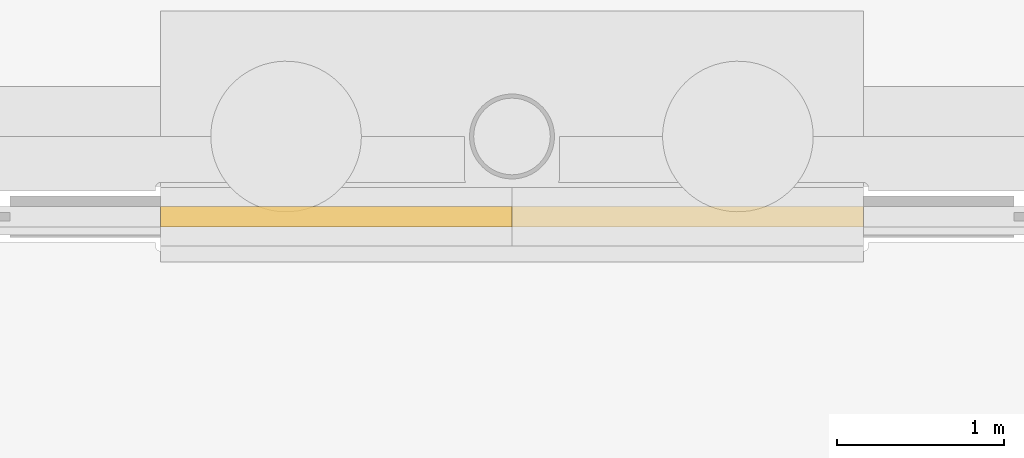
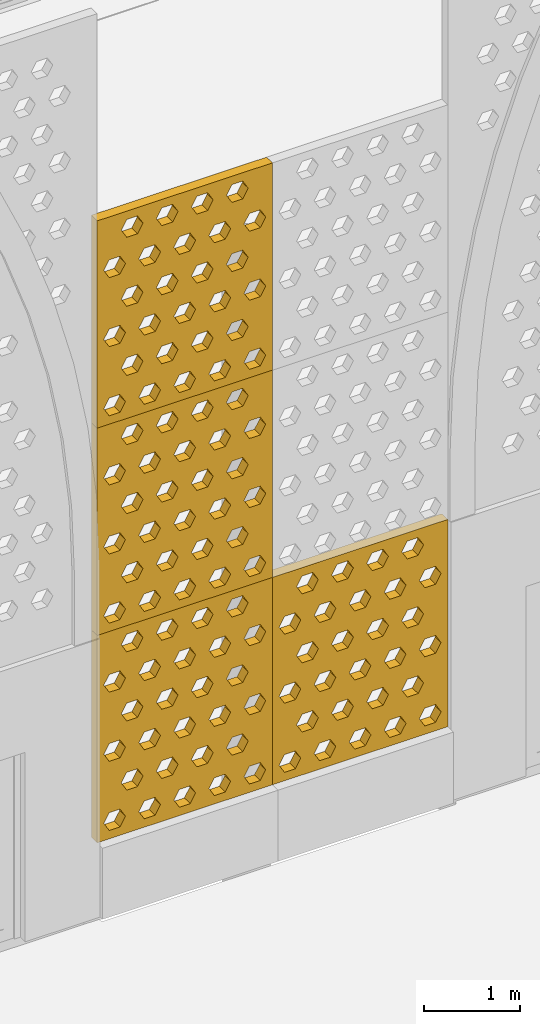
# One storey, part 208 of 250: 4 shading devices.
"""IFC4 building model written with IfcOpenShell, lengths in metres."""

from ifc_helpers import new_model, si_unit, direction, frame, origin, place, context, subcontext, project, spatial, polyline, outline, extrude, material, layer, layer_set, type_object, element, save


model = new_model("IFC4")

# Units and contexts
model_context = context("Model", 3, precision=1e-05, world=origin(), true_north=direction((0.0, 1.0)))
body_context = subcontext(model_context, "Body", "Model", "MODEL_VIEW")
ifc_project = project(units=[si_unit("LENGTHUNIT", "METRE"), si_unit("AREAUNIT", "SQUARE_METRE"), si_unit("VOLUMEUNIT", "CUBIC_METRE"), si_unit("PLANEANGLEUNIT", "RADIAN"), si_unit("MASSUNIT", "GRAM", prefix="KILO")], contexts=[model_context])

# Site, building, storey
site_placement = place(None, origin())
site = spatial("IfcSite", under=ifc_project, at=site_placement, CompositionType="ELEMENT")
building_placement = place(site_placement, origin())
building = spatial("IfcBuilding", under=site, at=building_placement, Name="Baradari Gate Terminus", CompositionType="ELEMENT")
storey_placement = place(building_placement, origin())
storey = spatial("IfcBuildingStorey", under=building, at=storey_placement, Name="L00", CompositionType="ELEMENT", Elevation=0.0)

# Shading devices
ifc_material = material(Name="Concrete C50/60 precast", Category="concrete")
ifc_layer = layer(ifc_material, 0.1201171875)
ifc_layer_set = layer_set([ifc_layer], Name="Concrete C50/60 precast")
shading_device_type = type_object("IfcShadingDeviceType", Name="Jali screen panel JS-2 120", PredefinedType="SHUTTER", material=ifc_layer_set)
shading_device_1_placement = place(storey_placement, frame((222.89990234375, 35.52001953125, 0.89990234375), z_axis=(0.0, 0.0, 1.0), x_axis=(1.0, 0.0, 0.0)))
element("IfcShadingDevice", 1, at=shading_device_1_placement, inside=storey, type_object=shading_device_type, Name="Jali screen panel JS-2 SC07c row 1 panel 1", PredefinedType="SHUTTER", context=body_context, shape_type="SweptSolid", body=[
    extrude(outline(polyline([(0.0, 0.0), (2.10009765625, 0.0), (2.10009765625, 2.625), (0.0, 2.625), (0.0, 0.0)]), holes=[polyline([(0.340087890625, 0.21875), (0.27490234375, 0.106201171875), (0.14501953125, 0.106201171875), (0.080078125, 0.21875), (0.14501953125, 0.33154296875), (0.27490234375, 0.33154296875), (0.340087890625, 0.21875)]), polyline([(0.760009765625, 0.21875), (0.695068359375, 0.106201171875), (0.56494140625, 0.106201171875), (0.5, 0.21875), (0.56494140625, 0.33154296875), (0.695068359375, 0.33154296875), (0.760009765625, 0.21875)]), polyline([(1.179931640625, 0.21875), (1.114990234375, 0.106201171875), (0.985107421875, 0.106201171875), (0.919921875, 0.21875), (0.985107421875, 0.33154296875), (1.114990234375, 0.33154296875), (1.179931640625, 0.21875)]), polyline([(1.60009765625, 0.21875), (1.534912109375, 0.106201171875), (1.405029296875, 0.106201171875), (1.340087890625, 0.21875), (1.405029296875, 0.33154296875), (1.534912109375, 0.33154296875), (1.60009765625, 0.21875)]), polyline([(2.02001953125, 0.21875), (1.955078125, 0.106201171875), (1.824951171875, 0.106201171875), (1.760009765625, 0.21875), (1.824951171875, 0.33154296875), (1.955078125, 0.33154296875), (2.02001953125, 0.21875)]), polyline([(0.550048828125, 0.65625), (0.485107421875, 0.543701171875), (0.35498046875, 0.543701171875), (0.2900390625, 0.65625), (0.35498046875, 0.76904296875), (0.485107421875, 0.76904296875), (0.550048828125, 0.65625)]), polyline([(0.969970703125, 0.65625), (0.905029296875, 0.543701171875), (0.77490234375, 0.543701171875), (0.7099609375, 0.65625), (0.77490234375, 0.76904296875), (0.905029296875, 0.76904296875), (0.969970703125, 0.65625)]), polyline([(1.389892578125, 0.65625), (1.324951171875, 0.543701171875), (1.195068359375, 0.543701171875), (1.1298828125, 0.65625), (1.195068359375, 0.76904296875), (1.324951171875, 0.76904296875), (1.389892578125, 0.65625)]), polyline([(1.81005859375, 0.65625), (1.7451171875, 0.543701171875), (1.614990234375, 0.543701171875), (1.550048828125, 0.65625), (1.614990234375, 0.76904296875), (1.7451171875, 0.76904296875), (1.81005859375, 0.65625)]), polyline([(0.340087890625, 1.09375), (0.27490234375, 0.981201171875), (0.14501953125, 0.981201171875), (0.080078125, 1.09375), (0.14501953125, 1.20654296875), (0.27490234375, 1.20654296875), (0.340087890625, 1.09375)]), polyline([(0.760009765625, 1.09375), (0.695068359375, 0.981201171875), (0.56494140625, 0.981201171875), (0.5, 1.09375), (0.56494140625, 1.20654296875), (0.695068359375, 1.20654296875), (0.760009765625, 1.09375)]), polyline([(1.179931640625, 1.09375), (1.114990234375, 0.981201171875), (0.985107421875, 0.981201171875), (0.919921875, 1.09375), (0.985107421875, 1.20654296875), (1.114990234375, 1.20654296875), (1.179931640625, 1.09375)]), polyline([(1.60009765625, 1.09375), (1.534912109375, 0.981201171875), (1.405029296875, 0.981201171875), (1.340087890625, 1.09375), (1.405029296875, 1.20654296875), (1.534912109375, 1.20654296875), (1.60009765625, 1.09375)]), polyline([(2.02001953125, 1.09375), (1.955078125, 0.981201171875), (1.824951171875, 0.981201171875), (1.760009765625, 1.09375), (1.824951171875, 1.20654296875), (1.955078125, 1.20654296875), (2.02001953125, 1.09375)]), polyline([(0.550048828125, 1.53125), (0.485107421875, 1.418701171875), (0.35498046875, 1.418701171875), (0.2900390625, 1.53125), (0.35498046875, 1.64404296875), (0.485107421875, 1.64404296875), (0.550048828125, 1.53125)]), polyline([(0.969970703125, 1.53125), (0.905029296875, 1.418701171875), (0.77490234375, 1.418701171875), (0.7099609375, 1.53125), (0.77490234375, 1.64404296875), (0.905029296875, 1.64404296875), (0.969970703125, 1.53125)]), polyline([(1.389892578125, 1.53125), (1.324951171875, 1.418701171875), (1.195068359375, 1.418701171875), (1.1298828125, 1.53125), (1.195068359375, 1.64404296875), (1.324951171875, 1.64404296875), (1.389892578125, 1.53125)]), polyline([(1.81005859375, 1.53125), (1.7451171875, 1.418701171875), (1.614990234375, 1.418701171875), (1.550048828125, 1.53125), (1.614990234375, 1.64404296875), (1.7451171875, 1.64404296875), (1.81005859375, 1.53125)]), polyline([(0.340087890625, 1.96875), (0.27490234375, 1.856201171875), (0.14501953125, 1.856201171875), (0.080078125, 1.96875), (0.14501953125, 2.08154296875), (0.27490234375, 2.08154296875), (0.340087890625, 1.96875)]), polyline([(0.760009765625, 1.96875), (0.695068359375, 1.856201171875), (0.56494140625, 1.856201171875), (0.5, 1.96875), (0.56494140625, 2.08154296875), (0.695068359375, 2.08154296875), (0.760009765625, 1.96875)]), polyline([(1.179931640625, 1.96875), (1.114990234375, 1.856201171875), (0.985107421875, 1.856201171875), (0.919921875, 1.96875), (0.985107421875, 2.08154296875), (1.114990234375, 2.08154296875), (1.179931640625, 1.96875)]), polyline([(1.60009765625, 1.96875), (1.534912109375, 1.856201171875), (1.405029296875, 1.856201171875), (1.340087890625, 1.96875), (1.405029296875, 2.08154296875), (1.534912109375, 2.08154296875), (1.60009765625, 1.96875)]), polyline([(2.02001953125, 1.96875), (1.955078125, 1.856201171875), (1.824951171875, 1.856201171875), (1.760009765625, 1.96875), (1.824951171875, 2.08154296875), (1.955078125, 2.08154296875), (2.02001953125, 1.96875)]), polyline([(0.550048828125, 2.40625), (0.485107421875, 2.293701171875), (0.35498046875, 2.293701171875), (0.2900390625, 2.40625), (0.35498046875, 2.51904296875), (0.485107421875, 2.51904296875), (0.550048828125, 2.40625)]), polyline([(0.969970703125, 2.40625), (0.905029296875, 2.293701171875), (0.77490234375, 2.293701171875), (0.7099609375, 2.40625), (0.77490234375, 2.51904296875), (0.905029296875, 2.51904296875), (0.969970703125, 2.40625)]), polyline([(1.389892578125, 2.40625), (1.324951171875, 2.293701171875), (1.195068359375, 2.293701171875), (1.1298828125, 2.40625), (1.195068359375, 2.51904296875), (1.324951171875, 2.51904296875), (1.389892578125, 2.40625)]), polyline([(1.81005859375, 2.40625), (1.7451171875, 2.293701171875), (1.614990234375, 2.293701171875), (1.550048828125, 2.40625), (1.614990234375, 2.51904296875), (1.7451171875, 2.51904296875), (1.81005859375, 2.40625)])]), frame((0.0, 0.06005859375, 0.0), z_axis=(0.0, -1.0, 0.0), x_axis=(1.0, 0.0, 0.0)), (0.0, 0.0, 1.0), 0.1201171875),
])
shading_device_2_placement = place(storey_placement, frame((222.89990234375, 35.52001953125, 3.52490234375), z_axis=(0.0, 0.0, 1.0), x_axis=(1.0, 0.0, 0.0)))
element("IfcShadingDevice", 2, at=shading_device_2_placement, inside=storey, type_object=shading_device_type, Name="Jali screen panel JS-2 SC07c row 2 panel 1", PredefinedType="SHUTTER", context=body_context, shape_type="SweptSolid", body=[
    extrude(outline(polyline([(0.0, 0.0), (2.10009765625, 0.0), (2.10009765625, 2.625), (0.0, 2.625), (0.0, 0.0)]), holes=[polyline([(0.340087890625, 0.21875), (0.27490234375, 0.106201171875), (0.14501953125, 0.106201171875), (0.080078125, 0.21875), (0.14501953125, 0.33154296875), (0.27490234375, 0.33154296875), (0.340087890625, 0.21875)]), polyline([(0.760009765625, 0.21875), (0.695068359375, 0.106201171875), (0.56494140625, 0.106201171875), (0.5, 0.21875), (0.56494140625, 0.33154296875), (0.695068359375, 0.33154296875), (0.760009765625, 0.21875)]), polyline([(1.179931640625, 0.21875), (1.114990234375, 0.106201171875), (0.985107421875, 0.106201171875), (0.919921875, 0.21875), (0.985107421875, 0.33154296875), (1.114990234375, 0.33154296875), (1.179931640625, 0.21875)]), polyline([(1.60009765625, 0.21875), (1.534912109375, 0.106201171875), (1.405029296875, 0.106201171875), (1.340087890625, 0.21875), (1.405029296875, 0.33154296875), (1.534912109375, 0.33154296875), (1.60009765625, 0.21875)]), polyline([(2.02001953125, 0.21875), (1.955078125, 0.106201171875), (1.824951171875, 0.106201171875), (1.760009765625, 0.21875), (1.824951171875, 0.33154296875), (1.955078125, 0.33154296875), (2.02001953125, 0.21875)]), polyline([(0.550048828125, 0.65625), (0.485107421875, 0.543701171875), (0.35498046875, 0.543701171875), (0.2900390625, 0.65625), (0.35498046875, 0.76904296875), (0.485107421875, 0.76904296875), (0.550048828125, 0.65625)]), polyline([(0.969970703125, 0.65625), (0.905029296875, 0.543701171875), (0.77490234375, 0.543701171875), (0.7099609375, 0.65625), (0.77490234375, 0.76904296875), (0.905029296875, 0.76904296875), (0.969970703125, 0.65625)]), polyline([(1.389892578125, 0.65625), (1.324951171875, 0.543701171875), (1.195068359375, 0.543701171875), (1.1298828125, 0.65625), (1.195068359375, 0.76904296875), (1.324951171875, 0.76904296875), (1.389892578125, 0.65625)]), polyline([(1.81005859375, 0.65625), (1.7451171875, 0.543701171875), (1.614990234375, 0.543701171875), (1.550048828125, 0.65625), (1.614990234375, 0.76904296875), (1.7451171875, 0.76904296875), (1.81005859375, 0.65625)]), polyline([(0.340087890625, 1.09375), (0.27490234375, 0.981201171875), (0.14501953125, 0.981201171875), (0.080078125, 1.09375), (0.14501953125, 1.20654296875), (0.27490234375, 1.20654296875), (0.340087890625, 1.09375)]), polyline([(0.760009765625, 1.09375), (0.695068359375, 0.981201171875), (0.56494140625, 0.981201171875), (0.5, 1.09375), (0.56494140625, 1.20654296875), (0.695068359375, 1.20654296875), (0.760009765625, 1.09375)]), polyline([(1.179931640625, 1.09375), (1.114990234375, 0.981201171875), (0.985107421875, 0.981201171875), (0.919921875, 1.09375), (0.985107421875, 1.20654296875), (1.114990234375, 1.20654296875), (1.179931640625, 1.09375)]), polyline([(1.60009765625, 1.09375), (1.534912109375, 0.981201171875), (1.405029296875, 0.981201171875), (1.340087890625, 1.09375), (1.405029296875, 1.20654296875), (1.534912109375, 1.20654296875), (1.60009765625, 1.09375)]), polyline([(2.02001953125, 1.09375), (1.955078125, 0.981201171875), (1.824951171875, 0.981201171875), (1.760009765625, 1.09375), (1.824951171875, 1.20654296875), (1.955078125, 1.20654296875), (2.02001953125, 1.09375)]), polyline([(0.550048828125, 1.53125), (0.485107421875, 1.418701171875), (0.35498046875, 1.418701171875), (0.2900390625, 1.53125), (0.35498046875, 1.64404296875), (0.485107421875, 1.64404296875), (0.550048828125, 1.53125)]), polyline([(0.969970703125, 1.53125), (0.905029296875, 1.418701171875), (0.77490234375, 1.418701171875), (0.7099609375, 1.53125), (0.77490234375, 1.64404296875), (0.905029296875, 1.64404296875), (0.969970703125, 1.53125)]), polyline([(1.389892578125, 1.53125), (1.324951171875, 1.418701171875), (1.195068359375, 1.418701171875), (1.1298828125, 1.53125), (1.195068359375, 1.64404296875), (1.324951171875, 1.64404296875), (1.389892578125, 1.53125)]), polyline([(1.81005859375, 1.53125), (1.7451171875, 1.418701171875), (1.614990234375, 1.418701171875), (1.550048828125, 1.53125), (1.614990234375, 1.64404296875), (1.7451171875, 1.64404296875), (1.81005859375, 1.53125)]), polyline([(0.340087890625, 1.96875), (0.27490234375, 1.856201171875), (0.14501953125, 1.856201171875), (0.080078125, 1.96875), (0.14501953125, 2.08154296875), (0.27490234375, 2.08154296875), (0.340087890625, 1.96875)]), polyline([(0.760009765625, 1.96875), (0.695068359375, 1.856201171875), (0.56494140625, 1.856201171875), (0.5, 1.96875), (0.56494140625, 2.08154296875), (0.695068359375, 2.08154296875), (0.760009765625, 1.96875)]), polyline([(1.179931640625, 1.96875), (1.114990234375, 1.856201171875), (0.985107421875, 1.856201171875), (0.919921875, 1.96875), (0.985107421875, 2.08154296875), (1.114990234375, 2.08154296875), (1.179931640625, 1.96875)]), polyline([(1.60009765625, 1.96875), (1.534912109375, 1.856201171875), (1.405029296875, 1.856201171875), (1.340087890625, 1.96875), (1.405029296875, 2.08154296875), (1.534912109375, 2.08154296875), (1.60009765625, 1.96875)]), polyline([(2.02001953125, 1.96875), (1.955078125, 1.856201171875), (1.824951171875, 1.856201171875), (1.760009765625, 1.96875), (1.824951171875, 2.08154296875), (1.955078125, 2.08154296875), (2.02001953125, 1.96875)]), polyline([(0.550048828125, 2.40625), (0.485107421875, 2.293701171875), (0.35498046875, 2.293701171875), (0.2900390625, 2.40625), (0.35498046875, 2.51904296875), (0.485107421875, 2.51904296875), (0.550048828125, 2.40625)]), polyline([(0.969970703125, 2.40625), (0.905029296875, 2.293701171875), (0.77490234375, 2.293701171875), (0.7099609375, 2.40625), (0.77490234375, 2.51904296875), (0.905029296875, 2.51904296875), (0.969970703125, 2.40625)]), polyline([(1.389892578125, 2.40625), (1.324951171875, 2.293701171875), (1.195068359375, 2.293701171875), (1.1298828125, 2.40625), (1.195068359375, 2.51904296875), (1.324951171875, 2.51904296875), (1.389892578125, 2.40625)]), polyline([(1.81005859375, 2.40625), (1.7451171875, 2.293701171875), (1.614990234375, 2.293701171875), (1.550048828125, 2.40625), (1.614990234375, 2.51904296875), (1.7451171875, 2.51904296875), (1.81005859375, 2.40625)])]), frame((0.0, 0.06005859375, 0.0), z_axis=(0.0, -1.0, 0.0), x_axis=(1.0, 0.0, 0.0)), (0.0, 0.0, 1.0), 0.1201171875),
])
shading_device_3_placement = place(storey_placement, frame((222.89990234375, 35.52001953125, 6.14990234375), z_axis=(0.0, 0.0, 1.0), x_axis=(1.0, 0.0, 0.0)))
element("IfcShadingDevice", 3, at=shading_device_3_placement, inside=storey, type_object=shading_device_type, Name="Jali screen panel JS-2 SC07c row 3 panel 1", PredefinedType="SHUTTER", context=body_context, shape_type="SweptSolid", body=[
    extrude(outline(polyline([(0.0, 0.0), (2.10009765625, 0.0), (2.10009765625, 2.625), (0.0, 2.625), (0.0, 0.0)]), holes=[polyline([(0.340087890625, 0.21875), (0.27490234375, 0.106201171875), (0.14501953125, 0.106201171875), (0.080078125, 0.21875), (0.14501953125, 0.33154296875), (0.27490234375, 0.33154296875), (0.340087890625, 0.21875)]), polyline([(0.760009765625, 0.21875), (0.695068359375, 0.106201171875), (0.56494140625, 0.106201171875), (0.5, 0.21875), (0.56494140625, 0.33154296875), (0.695068359375, 0.33154296875), (0.760009765625, 0.21875)]), polyline([(1.179931640625, 0.21875), (1.114990234375, 0.106201171875), (0.985107421875, 0.106201171875), (0.919921875, 0.21875), (0.985107421875, 0.33154296875), (1.114990234375, 0.33154296875), (1.179931640625, 0.21875)]), polyline([(1.60009765625, 0.21875), (1.534912109375, 0.106201171875), (1.405029296875, 0.106201171875), (1.340087890625, 0.21875), (1.405029296875, 0.33154296875), (1.534912109375, 0.33154296875), (1.60009765625, 0.21875)]), polyline([(2.02001953125, 0.21875), (1.955078125, 0.106201171875), (1.824951171875, 0.106201171875), (1.760009765625, 0.21875), (1.824951171875, 0.33154296875), (1.955078125, 0.33154296875), (2.02001953125, 0.21875)]), polyline([(0.550048828125, 0.65625), (0.485107421875, 0.543701171875), (0.35498046875, 0.543701171875), (0.2900390625, 0.65625), (0.35498046875, 0.76904296875), (0.485107421875, 0.76904296875), (0.550048828125, 0.65625)]), polyline([(0.969970703125, 0.65625), (0.905029296875, 0.543701171875), (0.77490234375, 0.543701171875), (0.7099609375, 0.65625), (0.77490234375, 0.76904296875), (0.905029296875, 0.76904296875), (0.969970703125, 0.65625)]), polyline([(1.389892578125, 0.65625), (1.324951171875, 0.543701171875), (1.195068359375, 0.543701171875), (1.1298828125, 0.65625), (1.195068359375, 0.76904296875), (1.324951171875, 0.76904296875), (1.389892578125, 0.65625)]), polyline([(1.81005859375, 0.65625), (1.7451171875, 0.543701171875), (1.614990234375, 0.543701171875), (1.550048828125, 0.65625), (1.614990234375, 0.76904296875), (1.7451171875, 0.76904296875), (1.81005859375, 0.65625)]), polyline([(0.340087890625, 1.09375), (0.27490234375, 0.981201171875), (0.14501953125, 0.981201171875), (0.080078125, 1.09375), (0.14501953125, 1.20654296875), (0.27490234375, 1.20654296875), (0.340087890625, 1.09375)]), polyline([(0.760009765625, 1.09375), (0.695068359375, 0.981201171875), (0.56494140625, 0.981201171875), (0.5, 1.09375), (0.56494140625, 1.20654296875), (0.695068359375, 1.20654296875), (0.760009765625, 1.09375)]), polyline([(1.179931640625, 1.09375), (1.114990234375, 0.981201171875), (0.985107421875, 0.981201171875), (0.919921875, 1.09375), (0.985107421875, 1.20654296875), (1.114990234375, 1.20654296875), (1.179931640625, 1.09375)]), polyline([(1.60009765625, 1.09375), (1.534912109375, 0.981201171875), (1.405029296875, 0.981201171875), (1.340087890625, 1.09375), (1.405029296875, 1.20654296875), (1.534912109375, 1.20654296875), (1.60009765625, 1.09375)]), polyline([(2.02001953125, 1.09375), (1.955078125, 0.981201171875), (1.824951171875, 0.981201171875), (1.760009765625, 1.09375), (1.824951171875, 1.20654296875), (1.955078125, 1.20654296875), (2.02001953125, 1.09375)]), polyline([(0.550048828125, 1.53125), (0.485107421875, 1.418701171875), (0.35498046875, 1.418701171875), (0.2900390625, 1.53125), (0.35498046875, 1.64404296875), (0.485107421875, 1.64404296875), (0.550048828125, 1.53125)]), polyline([(0.969970703125, 1.53125), (0.905029296875, 1.418701171875), (0.77490234375, 1.418701171875), (0.7099609375, 1.53125), (0.77490234375, 1.64404296875), (0.905029296875, 1.64404296875), (0.969970703125, 1.53125)]), polyline([(1.389892578125, 1.53125), (1.324951171875, 1.418701171875), (1.195068359375, 1.418701171875), (1.1298828125, 1.53125), (1.195068359375, 1.64404296875), (1.324951171875, 1.64404296875), (1.389892578125, 1.53125)]), polyline([(1.81005859375, 1.53125), (1.7451171875, 1.418701171875), (1.614990234375, 1.418701171875), (1.550048828125, 1.53125), (1.614990234375, 1.64404296875), (1.7451171875, 1.64404296875), (1.81005859375, 1.53125)]), polyline([(0.340087890625, 1.96875), (0.27490234375, 1.856201171875), (0.14501953125, 1.856201171875), (0.080078125, 1.96875), (0.14501953125, 2.08154296875), (0.27490234375, 2.08154296875), (0.340087890625, 1.96875)]), polyline([(0.760009765625, 1.96875), (0.695068359375, 1.856201171875), (0.56494140625, 1.856201171875), (0.5, 1.96875), (0.56494140625, 2.08154296875), (0.695068359375, 2.08154296875), (0.760009765625, 1.96875)]), polyline([(1.179931640625, 1.96875), (1.114990234375, 1.856201171875), (0.985107421875, 1.856201171875), (0.919921875, 1.96875), (0.985107421875, 2.08154296875), (1.114990234375, 2.08154296875), (1.179931640625, 1.96875)]), polyline([(1.60009765625, 1.96875), (1.534912109375, 1.856201171875), (1.405029296875, 1.856201171875), (1.340087890625, 1.96875), (1.405029296875, 2.08154296875), (1.534912109375, 2.08154296875), (1.60009765625, 1.96875)]), polyline([(2.02001953125, 1.96875), (1.955078125, 1.856201171875), (1.824951171875, 1.856201171875), (1.760009765625, 1.96875), (1.824951171875, 2.08154296875), (1.955078125, 2.08154296875), (2.02001953125, 1.96875)]), polyline([(0.550048828125, 2.40625), (0.485107421875, 2.293701171875), (0.35498046875, 2.293701171875), (0.2900390625, 2.40625), (0.35498046875, 2.51904296875), (0.485107421875, 2.51904296875), (0.550048828125, 2.40625)]), polyline([(0.969970703125, 2.40625), (0.905029296875, 2.293701171875), (0.77490234375, 2.293701171875), (0.7099609375, 2.40625), (0.77490234375, 2.51904296875), (0.905029296875, 2.51904296875), (0.969970703125, 2.40625)]), polyline([(1.389892578125, 2.40625), (1.324951171875, 2.293701171875), (1.195068359375, 2.293701171875), (1.1298828125, 2.40625), (1.195068359375, 2.51904296875), (1.324951171875, 2.51904296875), (1.389892578125, 2.40625)]), polyline([(1.81005859375, 2.40625), (1.7451171875, 2.293701171875), (1.614990234375, 2.293701171875), (1.550048828125, 2.40625), (1.614990234375, 2.51904296875), (1.7451171875, 2.51904296875), (1.81005859375, 2.40625)])]), frame((0.0, 0.06005859375, 0.0), z_axis=(0.0, -1.0, 0.0), x_axis=(1.0, 0.0, 0.0)), (0.0, 0.0, 1.0), 0.1201171875),
])
shading_device_4_placement = place(storey_placement, frame((225.0, 35.52001953125, 0.89990234375), z_axis=(0.0, 0.0, 1.0), x_axis=(1.0, 0.0, 0.0)))
element("IfcShadingDevice", 4, at=shading_device_4_placement, inside=storey, type_object=shading_device_type, Name="Jali screen panel JS-2 SC08a row 1 panel 1", PredefinedType="SHUTTER", context=body_context, shape_type="SweptSolid", body=[
    extrude(outline(polyline([(0.0, 0.0), (2.10009765625, 0.0), (2.10009765625, 2.625), (0.0, 2.625), (0.0, 0.0)]), holes=[polyline([(0.340087890625, 0.21875), (0.27490234375, 0.106201171875), (0.14501953125, 0.106201171875), (0.080078125, 0.21875), (0.14501953125, 0.33154296875), (0.27490234375, 0.33154296875), (0.340087890625, 0.21875)]), polyline([(0.760009765625, 0.21875), (0.695068359375, 0.106201171875), (0.56494140625, 0.106201171875), (0.5, 0.21875), (0.56494140625, 0.33154296875), (0.695068359375, 0.33154296875), (0.760009765625, 0.21875)]), polyline([(1.179931640625, 0.21875), (1.114990234375, 0.106201171875), (0.985107421875, 0.106201171875), (0.919921875, 0.21875), (0.985107421875, 0.33154296875), (1.114990234375, 0.33154296875), (1.179931640625, 0.21875)]), polyline([(1.60009765625, 0.21875), (1.534912109375, 0.106201171875), (1.405029296875, 0.106201171875), (1.340087890625, 0.21875), (1.405029296875, 0.33154296875), (1.534912109375, 0.33154296875), (1.60009765625, 0.21875)]), polyline([(2.02001953125, 0.21875), (1.955078125, 0.106201171875), (1.824951171875, 0.106201171875), (1.760009765625, 0.21875), (1.824951171875, 0.33154296875), (1.955078125, 0.33154296875), (2.02001953125, 0.21875)]), polyline([(0.550048828125, 0.65625), (0.485107421875, 0.543701171875), (0.35498046875, 0.543701171875), (0.2900390625, 0.65625), (0.35498046875, 0.76904296875), (0.485107421875, 0.76904296875), (0.550048828125, 0.65625)]), polyline([(0.969970703125, 0.65625), (0.905029296875, 0.543701171875), (0.77490234375, 0.543701171875), (0.7099609375, 0.65625), (0.77490234375, 0.76904296875), (0.905029296875, 0.76904296875), (0.969970703125, 0.65625)]), polyline([(1.389892578125, 0.65625), (1.324951171875, 0.543701171875), (1.195068359375, 0.543701171875), (1.1298828125, 0.65625), (1.195068359375, 0.76904296875), (1.324951171875, 0.76904296875), (1.389892578125, 0.65625)]), polyline([(1.81005859375, 0.65625), (1.7451171875, 0.543701171875), (1.614990234375, 0.543701171875), (1.550048828125, 0.65625), (1.614990234375, 0.76904296875), (1.7451171875, 0.76904296875), (1.81005859375, 0.65625)]), polyline([(0.340087890625, 1.09375), (0.27490234375, 0.981201171875), (0.14501953125, 0.981201171875), (0.080078125, 1.09375), (0.14501953125, 1.20654296875), (0.27490234375, 1.20654296875), (0.340087890625, 1.09375)]), polyline([(0.760009765625, 1.09375), (0.695068359375, 0.981201171875), (0.56494140625, 0.981201171875), (0.5, 1.09375), (0.56494140625, 1.20654296875), (0.695068359375, 1.20654296875), (0.760009765625, 1.09375)]), polyline([(1.179931640625, 1.09375), (1.114990234375, 0.981201171875), (0.985107421875, 0.981201171875), (0.919921875, 1.09375), (0.985107421875, 1.20654296875), (1.114990234375, 1.20654296875), (1.179931640625, 1.09375)]), polyline([(1.60009765625, 1.09375), (1.534912109375, 0.981201171875), (1.405029296875, 0.981201171875), (1.340087890625, 1.09375), (1.405029296875, 1.20654296875), (1.534912109375, 1.20654296875), (1.60009765625, 1.09375)]), polyline([(2.02001953125, 1.09375), (1.955078125, 0.981201171875), (1.824951171875, 0.981201171875), (1.760009765625, 1.09375), (1.824951171875, 1.20654296875), (1.955078125, 1.20654296875), (2.02001953125, 1.09375)]), polyline([(0.550048828125, 1.53125), (0.485107421875, 1.418701171875), (0.35498046875, 1.418701171875), (0.2900390625, 1.53125), (0.35498046875, 1.64404296875), (0.485107421875, 1.64404296875), (0.550048828125, 1.53125)]), polyline([(0.969970703125, 1.53125), (0.905029296875, 1.418701171875), (0.77490234375, 1.418701171875), (0.7099609375, 1.53125), (0.77490234375, 1.64404296875), (0.905029296875, 1.64404296875), (0.969970703125, 1.53125)]), polyline([(1.389892578125, 1.53125), (1.324951171875, 1.418701171875), (1.195068359375, 1.418701171875), (1.1298828125, 1.53125), (1.195068359375, 1.64404296875), (1.324951171875, 1.64404296875), (1.389892578125, 1.53125)]), polyline([(1.81005859375, 1.53125), (1.7451171875, 1.418701171875), (1.614990234375, 1.418701171875), (1.550048828125, 1.53125), (1.614990234375, 1.64404296875), (1.7451171875, 1.64404296875), (1.81005859375, 1.53125)]), polyline([(0.340087890625, 1.96875), (0.27490234375, 1.856201171875), (0.14501953125, 1.856201171875), (0.080078125, 1.96875), (0.14501953125, 2.08154296875), (0.27490234375, 2.08154296875), (0.340087890625, 1.96875)]), polyline([(0.760009765625, 1.96875), (0.695068359375, 1.856201171875), (0.56494140625, 1.856201171875), (0.5, 1.96875), (0.56494140625, 2.08154296875), (0.695068359375, 2.08154296875), (0.760009765625, 1.96875)]), polyline([(1.179931640625, 1.96875), (1.114990234375, 1.856201171875), (0.985107421875, 1.856201171875), (0.919921875, 1.96875), (0.985107421875, 2.08154296875), (1.114990234375, 2.08154296875), (1.179931640625, 1.96875)]), polyline([(1.60009765625, 1.96875), (1.534912109375, 1.856201171875), (1.405029296875, 1.856201171875), (1.340087890625, 1.96875), (1.405029296875, 2.08154296875), (1.534912109375, 2.08154296875), (1.60009765625, 1.96875)]), polyline([(2.02001953125, 1.96875), (1.955078125, 1.856201171875), (1.824951171875, 1.856201171875), (1.760009765625, 1.96875), (1.824951171875, 2.08154296875), (1.955078125, 2.08154296875), (2.02001953125, 1.96875)]), polyline([(0.550048828125, 2.40625), (0.485107421875, 2.293701171875), (0.35498046875, 2.293701171875), (0.2900390625, 2.40625), (0.35498046875, 2.51904296875), (0.485107421875, 2.51904296875), (0.550048828125, 2.40625)]), polyline([(0.969970703125, 2.40625), (0.905029296875, 2.293701171875), (0.77490234375, 2.293701171875), (0.7099609375, 2.40625), (0.77490234375, 2.51904296875), (0.905029296875, 2.51904296875), (0.969970703125, 2.40625)]), polyline([(1.389892578125, 2.40625), (1.324951171875, 2.293701171875), (1.195068359375, 2.293701171875), (1.1298828125, 2.40625), (1.195068359375, 2.51904296875), (1.324951171875, 2.51904296875), (1.389892578125, 2.40625)]), polyline([(1.81005859375, 2.40625), (1.7451171875, 2.293701171875), (1.614990234375, 2.293701171875), (1.550048828125, 2.40625), (1.614990234375, 2.51904296875), (1.7451171875, 2.51904296875), (1.81005859375, 2.40625)])]), frame((0.0, 0.06005859375, 0.0), z_axis=(0.0, -1.0, 0.0), x_axis=(1.0, 0.0, 0.0)), (0.0, 0.0, 1.0), 0.1201171875),
])

save(model, "model.ifc")
